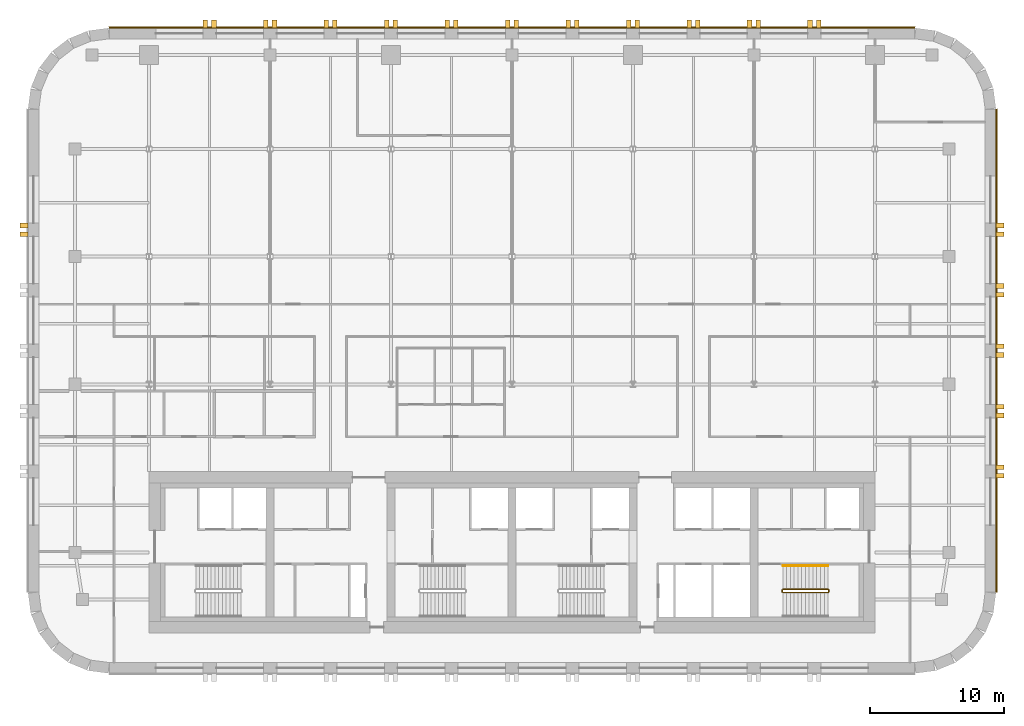
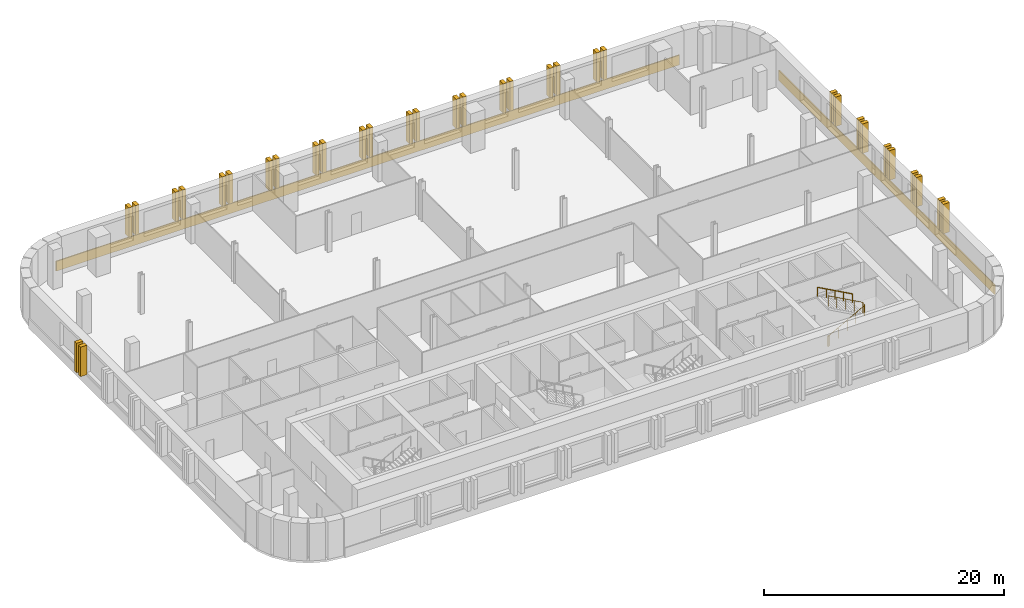
# One storey, part 10 of 10: 36 coverings, 2 railings.
"""IFC4 building model written with IfcOpenShell, lengths in metres."""

from ifc_helpers import new_model, si_unit, direction, frame, origin, origin_2d, place, context, subcontext, project, spatial, polyline, circle, outline, extrude, material, layer, layer_set, type_object, element, save


model = new_model("IFC4")

# Units and contexts
model_context = context("Model", 3, precision=1e-05, world=origin(), true_north=direction((0.0, 1.0)))
body_context = subcontext(model_context, "Body", "Model", "MODEL_VIEW")
ifc_project = project(units=[si_unit("LENGTHUNIT", "METRE"), si_unit("AREAUNIT", "SQUARE_METRE"), si_unit("VOLUMEUNIT", "CUBIC_METRE"), si_unit("PLANEANGLEUNIT", "RADIAN"), si_unit("MASSUNIT", "GRAM", prefix="KILO")], contexts=[model_context])

# Site, building, storey
site_placement = place(None, origin())
site = spatial("IfcSite", under=ifc_project, at=site_placement, CompositionType="ELEMENT")
building_placement = place(site_placement, origin())
building = spatial("IfcBuilding", under=site, at=building_placement, Name="Zellij Exchange Tower", CompositionType="ELEMENT")
storey_placement = place(building_placement, frame((0.0, 0.0, 192.5)))
storey = spatial("IfcBuildingStorey", under=building, at=storey_placement, Name="L44", CompositionType="ELEMENT", Elevation=192.5)

# Railings
ifc_material_1 = material(Name="Stainless steel", Category="steel")
railing_type_1 = type_object("IfcRailingType", Name="CORE-RG stair guard", PredefinedType="GUARDRAIL", material=ifc_material_1)
railing_1_placement = place(storey_placement, frame((20.10009765625, -10.949951171875, 0.0)))
element("IfcRailing", 1, at=railing_1_placement, inside=storey, type_object=railing_type_1, Name="ST4 stair guard L44", PredefinedType="GUARDRAIL", context=body_context, shape_type="SweptSolid", body=[
    extrude(circle(Radius=0.02392578125, at=origin_2d()), frame((0.0, 0.0, 1.076171875), z_axis=(0.0, 1.0, 0.0), x_axis=(-1.0, 0.0, 0.0)), (0.0, 0.0, 1.0), 0.14990234375),
    extrude(circle(Radius=0.02392578125, at=origin_2d()), frame((0.0, 0.14990234375, 1.076171875), z_axis=(0.193691321961, -0.777613689637, 0.598164376644), x_axis=(0.970351222016, 0.241699205484, 0.0)), (0.0, 0.0, 1.0), 0.257080078125),
    extrude(circle(Radius=0.02392578125, at=origin_2d()), frame((0.0498046875, -0.050048828125, 1.22998046875), z_axis=(0.876421534553, 0.0, 0.481544695509), x_axis=(0.0, 1.0, 0.0)), (0.0, 0.0, 1.0), 3.833984375),
    extrude(circle(Radius=0.02392578125, at=origin_2d()), frame((3.409912109375, -0.050048828125, 3.076171875), z_axis=(0.707106781187, 0.707106781187, 0.0), x_axis=(-0.707106781187, 0.707106781187, 0.0)), (0.0, 0.0, 1.0), 0.07080078125),
    extrude(circle(Radius=0.02392578125, at=origin_2d()), frame((3.4599609375, 0.0, 3.076171875), z_axis=(0.0, 1.0, 0.0), x_axis=(-1.0, 0.0, 0.0)), (0.0, 0.0, 1.0), 0.14990234375),
    extrude(circle(Radius=0.02392578125, at=origin_2d()), frame((3.4599609375, 0.14990234375, 3.076171875), z_axis=(-0.295599637079, 0.295599637079, 0.908428152975), x_axis=(-0.707106781187, -0.707106781187, 0.0)), (0.0, 0.0, 1.0), 0.16943359375),
    extrude(circle(Radius=0.02392578125, at=origin_2d()), frame((3.409912109375, 0.199951171875, 3.22998046875), z_axis=(-0.876421534553, 0.0, 0.481544695509), x_axis=(0.0, -1.0, 0.0)), (0.0, 0.0, 1.0), 3.833984375),
    extrude(circle(Radius=0.02099609375, at=origin_2d()), origin(), (0.0, 0.0, 1.0), 1.052001953125),
    extrude(circle(Radius=0.02099609375, at=origin_2d()), frame((0.0, 0.14990234375, 0.0)), (0.0, 0.0, 1.0), 1.052001953125),
    extrude(circle(Radius=0.02099609375, at=origin_2d()), frame((0.0498046875, -0.050048828125, 0.15380859375)), (0.0, 0.0, 1.0), 1.052001953125),
    extrude(circle(Radius=0.02099609375, at=origin_2d()), frame((0.889892578125, -0.050048828125, 0.615234375)), (0.0, 0.0, 1.0), 1.052001953125),
    extrude(circle(Radius=0.02099609375, at=origin_2d()), frame((1.72998046875, -0.050048828125, 1.076904296875)), (0.0, 0.0, 1.0), 1.052001953125),
    extrude(circle(Radius=0.02099609375, at=origin_2d()), frame((2.56982421875, -0.050048828125, 1.53857421875)), (0.0, 0.0, 1.0), 1.052001953125),
    extrude(circle(Radius=0.02099609375, at=origin_2d()), frame((3.409912109375, -0.050048828125, 2.0)), (0.0, 0.0, 1.0), 1.052001953125),
    extrude(circle(Radius=0.02099609375, at=origin_2d()), frame((3.4599609375, 0.0, 2.0)), (0.0, 0.0, 1.0), 1.052001953125),
    extrude(circle(Radius=0.02099609375, at=origin_2d()), frame((3.4599609375, 0.14990234375, 2.0)), (0.0, 0.0, 1.0), 1.052001953125),
    extrude(circle(Radius=0.02099609375, at=origin_2d()), frame((3.409912109375, 0.199951171875, 2.15380859375)), (0.0, 0.0, 1.0), 1.052001953125),
    extrude(circle(Radius=0.02099609375, at=origin_2d()), frame((2.56982421875, 0.199951171875, 2.615234375)), (0.0, 0.0, 1.0), 1.052001953125),
    extrude(circle(Radius=0.02099609375, at=origin_2d()), frame((1.72998046875, 0.199951171875, 3.076904296875)), (0.0, 0.0, 1.0), 1.052001953125),
    extrude(circle(Radius=0.02099609375, at=origin_2d()), frame((0.889892578125, 0.199951171875, 3.53857421875)), (0.0, 0.0, 1.0), 1.052001953125),
    extrude(circle(Radius=0.02099609375, at=origin_2d()), frame((0.0498046875, 0.199951171875, 4.0)), (0.0, 0.0, 1.0), 1.052001953125),
])
railing_type_2 = type_object("IfcRailingType", Name="CORE-RH stair handrail", PredefinedType="HANDRAIL", material=ifc_material_1)
railing_2_placement = place(storey_placement, frame((23.510009765625, -9.0, 2.15380859375)))
element("IfcRailing", 2, at=railing_2_placement, inside=storey, type_object=railing_type_2, Name="ST4 stair handrail L44", PredefinedType="HANDRAIL", context=body_context, shape_type="SweptSolid", body=[
    extrude(circle(Radius=0.02392578125, at=origin_2d()), frame((0.0, 0.0, 0.8759765625), z_axis=(-0.876421534553, 0.0, 0.481544695509), x_axis=(0.0, -1.0, 0.0)), (0.0, 0.0, 1.0), 3.833984375),
    extrude(circle(Radius=0.02099609375, at=origin_2d()), origin(), (0.0, 0.0, 1.0), 0.851806640625),
    extrude(circle(Radius=0.02099609375, at=origin_2d()), frame((-0.840087890625, 0.0, 0.46142578125)), (0.0, 0.0, 1.0), 0.851806640625),
    extrude(circle(Radius=0.02099609375, at=origin_2d()), frame((-1.68017578125, 0.0, 0.923095703125)), (0.0, 0.0, 1.0), 0.851806640625),
    extrude(circle(Radius=0.02099609375, at=origin_2d()), frame((-2.52001953125, 0.0, 1.384765625)), (0.0, 0.0, 1.0), 0.851806640625),
    extrude(circle(Radius=0.02099609375, at=origin_2d()), frame((-3.360107421875, 0.0, 1.84619140625)), (0.0, 0.0, 1.0), 0.851806640625),
])

# Coverings
ifc_material_2 = material(Name="Limestone cladding", Category="masonry")
covering_type_1 = type_object("IfcCoveringType", Name="ENV-CV3 Stone pier 350x600", PredefinedType="CLADDING", material=ifc_material_2)
covering_1_placement = place(storey_placement, frame((0.0, 0.0, 0.800048828125)))
element("IfcCovering", 3, at=covering_1_placement, inside=storey, type_object=covering_type_1, Name="Stone pier", PredefinedType="CLADDING", context=body_context, shape_type="SweptSolid", body=[
    extrude(outline(polyline([(36.0, -2.48681640625), (36.0, -2.136962890625), (36.60009765625, -2.136962890625), (36.60009765625, -2.48681640625), (36.0, -2.48681640625)])), origin(), (0.0, 0.0, 1.0), 3.0),
])
covering_2_placement = place(storey_placement, frame((0.0, 0.0, 0.800048828125)))
element("IfcCovering", 4, at=covering_2_placement, inside=storey, type_object=covering_type_1, Name="Stone pier", PredefinedType="CLADDING", context=body_context, shape_type="SweptSolid", body=[
    extrude(outline(polyline([(36.0, -1.8369140625), (36.0, -1.48681640625), (36.60009765625, -1.48681640625), (36.60009765625, -1.8369140625), (36.0, -1.8369140625)])), origin(), (0.0, 0.0, 1.0), 3.0),
])
covering_3_placement = place(storey_placement, frame((0.0, 0.0, 0.800048828125)))
element("IfcCovering", 5, at=covering_3_placement, inside=storey, type_object=covering_type_1, Name="Stone pier", PredefinedType="CLADDING", context=body_context, shape_type="SweptSolid", body=[
    extrude(outline(polyline([(36.0, 2.006591796875), (36.0, 2.3564453125), (36.60009765625, 2.3564453125), (36.60009765625, 2.006591796875), (36.0, 2.006591796875)])), origin(), (0.0, 0.0, 1.0), 3.0),
])
covering_4_placement = place(storey_placement, frame((0.0, 0.0, 0.800048828125)))
element("IfcCovering", 6, at=covering_4_placement, inside=storey, type_object=covering_type_1, Name="Stone pier", PredefinedType="CLADDING", context=body_context, shape_type="SweptSolid", body=[
    extrude(outline(polyline([(36.0, 2.656494140625), (36.0, 3.006591796875), (36.60009765625, 3.006591796875), (36.60009765625, 2.656494140625), (36.0, 2.656494140625)])), origin(), (0.0, 0.0, 1.0), 3.0),
])
covering_5_placement = place(storey_placement, frame((0.0, 0.0, 0.800048828125)))
element("IfcCovering", 7, at=covering_5_placement, inside=storey, type_object=covering_type_1, Name="Stone pier", PredefinedType="CLADDING", context=body_context, shape_type="SweptSolid", body=[
    extrude(outline(polyline([(36.0, 6.5), (36.0, 6.85009765625), (36.60009765625, 6.85009765625), (36.60009765625, 6.5), (36.0, 6.5)])), origin(), (0.0, 0.0, 1.0), 3.0),
])
covering_6_placement = place(storey_placement, frame((0.0, 0.0, 0.800048828125)))
element("IfcCovering", 8, at=covering_6_placement, inside=storey, type_object=covering_type_1, Name="Stone pier", PredefinedType="CLADDING", context=body_context, shape_type="SweptSolid", body=[
    extrude(outline(polyline([(36.0, 7.14990234375), (36.0, 7.5), (36.60009765625, 7.5), (36.60009765625, 7.14990234375), (36.0, 7.14990234375)])), origin(), (0.0, 0.0, 1.0), 3.0),
])
covering_7_placement = place(storey_placement, frame((0.0, 0.0, 0.800048828125)))
element("IfcCovering", 9, at=covering_7_placement, inside=storey, type_object=covering_type_1, Name="Stone pier", PredefinedType="CLADDING", context=body_context, shape_type="SweptSolid", body=[
    extrude(outline(polyline([(36.0, 10.993408203125), (36.0, 11.343505859375), (36.60009765625, 11.343505859375), (36.60009765625, 10.993408203125), (36.0, 10.993408203125)])), origin(), (0.0, 0.0, 1.0), 3.0),
])
covering_8_placement = place(storey_placement, frame((0.0, 0.0, 0.800048828125)))
element("IfcCovering", 10, at=covering_8_placement, inside=storey, type_object=covering_type_1, Name="Stone pier", PredefinedType="CLADDING", context=body_context, shape_type="SweptSolid", body=[
    extrude(outline(polyline([(36.0, 11.643310546875), (36.0, 11.993408203125), (36.60009765625, 11.993408203125), (36.60009765625, 11.643310546875), (36.0, 11.643310546875)])), origin(), (0.0, 0.0, 1.0), 3.0),
])
covering_9_placement = place(storey_placement, frame((0.0, 0.0, 0.800048828125)))
element("IfcCovering", 11, at=covering_9_placement, inside=storey, type_object=covering_type_1, Name="Stone pier", PredefinedType="CLADDING", context=body_context, shape_type="SweptSolid", body=[
    extrude(outline(polyline([(36.0, 15.48681640625), (36.0, 15.8369140625), (36.60009765625, 15.8369140625), (36.60009765625, 15.48681640625), (36.0, 15.48681640625)])), origin(), (0.0, 0.0, 1.0), 3.0),
])
covering_10_placement = place(storey_placement, frame((0.0, 0.0, 0.800048828125)))
element("IfcCovering", 12, at=covering_10_placement, inside=storey, type_object=covering_type_1, Name="Stone pier", PredefinedType="CLADDING", context=body_context, shape_type="SweptSolid", body=[
    extrude(outline(polyline([(36.0, 16.136962890625), (36.0, 16.48681640625), (36.60009765625, 16.48681640625), (36.60009765625, 16.136962890625), (36.0, 16.136962890625)])), origin(), (0.0, 0.0, 1.0), 3.0),
])
covering_11_placement = place(storey_placement, frame((0.0, 0.0, 0.800048828125)))
element("IfcCovering", 13, at=covering_11_placement, inside=storey, type_object=covering_type_1, Name="Stone pier", PredefinedType="CLADDING", context=body_context, shape_type="SweptSolid", body=[
    extrude(outline(polyline([(23.0, 31.0), (22.64990234375, 31.0), (22.64990234375, 31.60009765625), (23.0, 31.60009765625), (23.0, 31.0)])), origin(), (0.0, 0.0, 1.0), 3.0),
])
covering_12_placement = place(storey_placement, frame((0.0, 0.0, 0.800048828125)))
element("IfcCovering", 14, at=covering_12_placement, inside=storey, type_object=covering_type_1, Name="Stone pier", PredefinedType="CLADDING", context=body_context, shape_type="SweptSolid", body=[
    extrude(outline(polyline([(22.35009765625, 31.0), (22.0, 31.0), (22.0, 31.60009765625), (22.35009765625, 31.60009765625), (22.35009765625, 31.0)])), origin(), (0.0, 0.0, 1.0), 3.0),
])
covering_13_placement = place(storey_placement, frame((0.0, 0.0, 0.800048828125)))
element("IfcCovering", 15, at=covering_13_placement, inside=storey, type_object=covering_type_1, Name="Stone pier", PredefinedType="CLADDING", context=body_context, shape_type="SweptSolid", body=[
    extrude(outline(polyline([(18.5, 31.0), (18.14990234375, 31.0), (18.14990234375, 31.60009765625), (18.5, 31.60009765625), (18.5, 31.0)])), origin(), (0.0, 0.0, 1.0), 3.0),
])
covering_14_placement = place(storey_placement, frame((0.0, 0.0, 0.800048828125)))
element("IfcCovering", 16, at=covering_14_placement, inside=storey, type_object=covering_type_1, Name="Stone pier", PredefinedType="CLADDING", context=body_context, shape_type="SweptSolid", body=[
    extrude(outline(polyline([(17.85009765625, 31.0), (17.5, 31.0), (17.5, 31.60009765625), (17.85009765625, 31.60009765625), (17.85009765625, 31.0)])), origin(), (0.0, 0.0, 1.0), 3.0),
])
covering_15_placement = place(storey_placement, frame((0.0, 0.0, 0.800048828125)))
element("IfcCovering", 17, at=covering_15_placement, inside=storey, type_object=covering_type_1, Name="Stone pier", PredefinedType="CLADDING", context=body_context, shape_type="SweptSolid", body=[
    extrude(outline(polyline([(14.0, 31.0), (13.64990234375, 31.0), (13.64990234375, 31.60009765625), (14.0, 31.60009765625), (14.0, 31.0)])), origin(), (0.0, 0.0, 1.0), 3.0),
])
covering_16_placement = place(storey_placement, frame((0.0, 0.0, 0.800048828125)))
element("IfcCovering", 18, at=covering_16_placement, inside=storey, type_object=covering_type_1, Name="Stone pier", PredefinedType="CLADDING", context=body_context, shape_type="SweptSolid", body=[
    extrude(outline(polyline([(13.35009765625, 31.0), (13.0, 31.0), (13.0, 31.60009765625), (13.35009765625, 31.60009765625), (13.35009765625, 31.0)])), origin(), (0.0, 0.0, 1.0), 3.0),
])
covering_17_placement = place(storey_placement, frame((0.0, 0.0, 0.800048828125)))
element("IfcCovering", 19, at=covering_17_placement, inside=storey, type_object=covering_type_1, Name="Stone pier", PredefinedType="CLADDING", context=body_context, shape_type="SweptSolid", body=[
    extrude(outline(polyline([(9.5, 31.0), (9.14990234375, 31.0), (9.14990234375, 31.60009765625), (9.5, 31.60009765625), (9.5, 31.0)])), origin(), (0.0, 0.0, 1.0), 3.0),
])
covering_18_placement = place(storey_placement, frame((0.0, 0.0, 0.800048828125)))
element("IfcCovering", 20, at=covering_18_placement, inside=storey, type_object=covering_type_1, Name="Stone pier", PredefinedType="CLADDING", context=body_context, shape_type="SweptSolid", body=[
    extrude(outline(polyline([(8.85009765625, 31.0), (8.5, 31.0), (8.5, 31.60009765625), (8.85009765625, 31.60009765625), (8.85009765625, 31.0)])), origin(), (0.0, 0.0, 1.0), 3.0),
])
covering_19_placement = place(storey_placement, frame((0.0, 0.0, 0.800048828125)))
element("IfcCovering", 21, at=covering_19_placement, inside=storey, type_object=covering_type_1, Name="Stone pier", PredefinedType="CLADDING", context=body_context, shape_type="SweptSolid", body=[
    extrude(outline(polyline([(5.0, 31.0), (4.64990234375, 31.0), (4.64990234375, 31.60009765625), (5.0, 31.60009765625), (5.0, 31.0)])), origin(), (0.0, 0.0, 1.0), 3.0),
])
covering_20_placement = place(storey_placement, frame((0.0, 0.0, 0.800048828125)))
element("IfcCovering", 22, at=covering_20_placement, inside=storey, type_object=covering_type_1, Name="Stone pier", PredefinedType="CLADDING", context=body_context, shape_type="SweptSolid", body=[
    extrude(outline(polyline([(4.35009765625, 31.0), (4.0, 31.0), (4.0, 31.60009765625), (4.35009765625, 31.60009765625), (4.35009765625, 31.0)])), origin(), (0.0, 0.0, 1.0), 3.0),
])
covering_21_placement = place(storey_placement, frame((0.0, 0.0, 0.800048828125)))
element("IfcCovering", 23, at=covering_21_placement, inside=storey, type_object=covering_type_1, Name="Stone pier", PredefinedType="CLADDING", context=body_context, shape_type="SweptSolid", body=[
    extrude(outline(polyline([(0.5, 31.0), (0.14990234375, 31.0), (0.14990234375, 31.60009765625), (0.5, 31.60009765625), (0.5, 31.0)])), origin(), (0.0, 0.0, 1.0), 3.0),
])
covering_22_placement = place(storey_placement, frame((0.0, 0.0, 0.800048828125)))
element("IfcCovering", 24, at=covering_22_placement, inside=storey, type_object=covering_type_1, Name="Stone pier", PredefinedType="CLADDING", context=body_context, shape_type="SweptSolid", body=[
    extrude(outline(polyline([(-0.14990234375, 31.0), (-0.5, 31.0), (-0.5, 31.60009765625), (-0.14990234375, 31.60009765625), (-0.14990234375, 31.0)])), origin(), (0.0, 0.0, 1.0), 3.0),
])
covering_23_placement = place(storey_placement, frame((0.0, 0.0, 0.800048828125)))
element("IfcCovering", 25, at=covering_23_placement, inside=storey, type_object=covering_type_1, Name="Stone pier", PredefinedType="CLADDING", context=body_context, shape_type="SweptSolid", body=[
    extrude(outline(polyline([(-4.0, 31.0), (-4.35009765625, 31.0), (-4.35009765625, 31.60009765625), (-4.0, 31.60009765625), (-4.0, 31.0)])), origin(), (0.0, 0.0, 1.0), 3.0),
])
covering_24_placement = place(storey_placement, frame((0.0, 0.0, 0.800048828125)))
element("IfcCovering", 26, at=covering_24_placement, inside=storey, type_object=covering_type_1, Name="Stone pier", PredefinedType="CLADDING", context=body_context, shape_type="SweptSolid", body=[
    extrude(outline(polyline([(-4.64990234375, 31.0), (-5.0, 31.0), (-5.0, 31.60009765625), (-4.64990234375, 31.60009765625), (-4.64990234375, 31.0)])), origin(), (0.0, 0.0, 1.0), 3.0),
])
covering_25_placement = place(storey_placement, frame((0.0, 0.0, 0.800048828125)))
element("IfcCovering", 27, at=covering_25_placement, inside=storey, type_object=covering_type_1, Name="Stone pier", PredefinedType="CLADDING", context=body_context, shape_type="SweptSolid", body=[
    extrude(outline(polyline([(-8.5, 31.0), (-8.85009765625, 31.0), (-8.85009765625, 31.60009765625), (-8.5, 31.60009765625), (-8.5, 31.0)])), origin(), (0.0, 0.0, 1.0), 3.0),
])
covering_26_placement = place(storey_placement, frame((0.0, 0.0, 0.800048828125)))
element("IfcCovering", 28, at=covering_26_placement, inside=storey, type_object=covering_type_1, Name="Stone pier", PredefinedType="CLADDING", context=body_context, shape_type="SweptSolid", body=[
    extrude(outline(polyline([(-9.14990234375, 31.0), (-9.5, 31.0), (-9.5, 31.60009765625), (-9.14990234375, 31.60009765625), (-9.14990234375, 31.0)])), origin(), (0.0, 0.0, 1.0), 3.0),
])
covering_27_placement = place(storey_placement, frame((0.0, 0.0, 0.800048828125)))
element("IfcCovering", 29, at=covering_27_placement, inside=storey, type_object=covering_type_1, Name="Stone pier", PredefinedType="CLADDING", context=body_context, shape_type="SweptSolid", body=[
    extrude(outline(polyline([(-13.0, 31.0), (-13.35009765625, 31.0), (-13.35009765625, 31.60009765625), (-13.0, 31.60009765625), (-13.0, 31.0)])), origin(), (0.0, 0.0, 1.0), 3.0),
])
covering_28_placement = place(storey_placement, frame((0.0, 0.0, 0.800048828125)))
element("IfcCovering", 30, at=covering_28_placement, inside=storey, type_object=covering_type_1, Name="Stone pier", PredefinedType="CLADDING", context=body_context, shape_type="SweptSolid", body=[
    extrude(outline(polyline([(-13.64990234375, 31.0), (-14.0, 31.0), (-14.0, 31.60009765625), (-13.64990234375, 31.60009765625), (-13.64990234375, 31.0)])), origin(), (0.0, 0.0, 1.0), 3.0),
])
covering_29_placement = place(storey_placement, frame((0.0, 0.0, 0.800048828125)))
element("IfcCovering", 31, at=covering_29_placement, inside=storey, type_object=covering_type_1, Name="Stone pier", PredefinedType="CLADDING", context=body_context, shape_type="SweptSolid", body=[
    extrude(outline(polyline([(-17.5, 31.0), (-17.85009765625, 31.0), (-17.85009765625, 31.60009765625), (-17.5, 31.60009765625), (-17.5, 31.0)])), origin(), (0.0, 0.0, 1.0), 3.0),
])
covering_30_placement = place(storey_placement, frame((0.0, 0.0, 0.800048828125)))
element("IfcCovering", 32, at=covering_30_placement, inside=storey, type_object=covering_type_1, Name="Stone pier", PredefinedType="CLADDING", context=body_context, shape_type="SweptSolid", body=[
    extrude(outline(polyline([(-18.14990234375, 31.0), (-18.5, 31.0), (-18.5, 31.60009765625), (-18.14990234375, 31.60009765625), (-18.14990234375, 31.0)])), origin(), (0.0, 0.0, 1.0), 3.0),
])
covering_31_placement = place(storey_placement, frame((0.0, 0.0, 0.800048828125)))
element("IfcCovering", 33, at=covering_31_placement, inside=storey, type_object=covering_type_1, Name="Stone pier", PredefinedType="CLADDING", context=body_context, shape_type="SweptSolid", body=[
    extrude(outline(polyline([(-22.0, 31.0), (-22.35009765625, 31.0), (-22.35009765625, 31.60009765625), (-22.0, 31.60009765625), (-22.0, 31.0)])), origin(), (0.0, 0.0, 1.0), 3.0),
])
covering_32_placement = place(storey_placement, frame((0.0, 0.0, 0.800048828125)))
element("IfcCovering", 34, at=covering_32_placement, inside=storey, type_object=covering_type_1, Name="Stone pier", PredefinedType="CLADDING", context=body_context, shape_type="SweptSolid", body=[
    extrude(outline(polyline([(-22.64990234375, 31.0), (-23.0, 31.0), (-23.0, 31.60009765625), (-22.64990234375, 31.60009765625), (-22.64990234375, 31.0)])), origin(), (0.0, 0.0, 1.0), 3.0),
])
covering_33_placement = place(storey_placement, frame((0.0, 0.0, 0.800048828125)))
element("IfcCovering", 35, at=covering_33_placement, inside=storey, type_object=covering_type_1, Name="Stone pier", PredefinedType="CLADDING", context=body_context, shape_type="SweptSolid", body=[
    extrude(outline(polyline([(-36.0, 16.48681640625), (-36.0, 16.136962890625), (-36.60009765625, 16.136962890625), (-36.60009765625, 16.48681640625), (-36.0, 16.48681640625)])), origin(), (0.0, 0.0, 1.0), 3.0),
])
covering_34_placement = place(storey_placement, frame((0.0, 0.0, 0.800048828125)))
element("IfcCovering", 36, at=covering_34_placement, inside=storey, type_object=covering_type_1, Name="Stone pier", PredefinedType="CLADDING", context=body_context, shape_type="SweptSolid", body=[
    extrude(outline(polyline([(-36.0, 15.8369140625), (-36.0, 15.48681640625), (-36.60009765625, 15.48681640625), (-36.60009765625, 15.8369140625), (-36.0, 15.8369140625)])), origin(), (0.0, 0.0, 1.0), 3.0),
])
ifc_layer = layer(ifc_material_2, 0.10009765625)
ifc_layer_set = layer_set([ifc_layer], Name="Limestone cladding")
covering_type_2 = type_object("IfcCoveringType", Name="ENV-CV9 Stone spandrel band 100", PredefinedType="CLADDING", material=ifc_layer_set)
covering_35_placement = place(storey_placement, frame((0.0, 0.0, -0.199951171875)))
element("IfcCovering", 37, at=covering_35_placement, inside=storey, type_object=covering_type_2, Name="Stone spandrel band", PredefinedType="CLADDING", context=body_context, shape_type="SweptSolid", body=[
    extrude(outline(polyline([(36.0, -10.973876953125), (36.0, 24.973876953125), (36.10009765625, 24.980224609375), (36.10009765625, -10.980224609375), (36.0, -10.973876953125)])), origin(), (0.0, 0.0, 1.0), 1.0),
])
covering_36_placement = place(storey_placement, frame((0.0, 0.0, -0.199951171875)))
element("IfcCovering", 38, at=covering_36_placement, inside=storey, type_object=covering_type_2, Name="Stone spandrel band", PredefinedType="CLADDING", context=body_context, shape_type="SweptSolid", body=[
    extrude(outline(polyline([(29.973876953125, 31.0), (-29.973876953125, 31.0), (-29.980224609375, 31.10009765625), (29.980224609375, 31.10009765625), (29.973876953125, 31.0)])), origin(), (0.0, 0.0, 1.0), 1.0),
])

save(model, "model.ifc")
